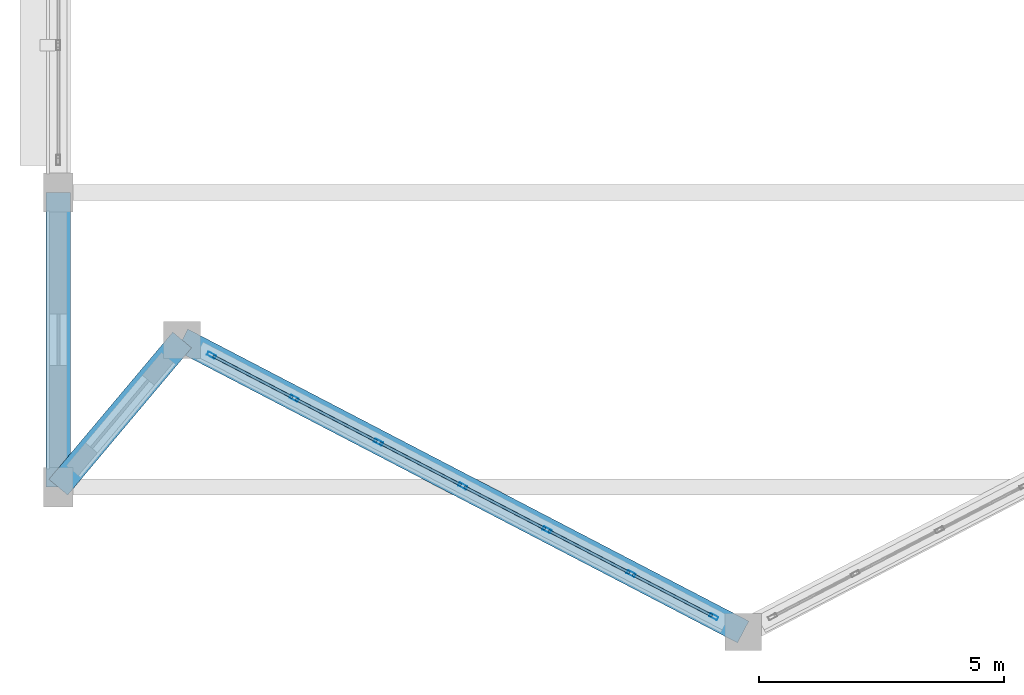
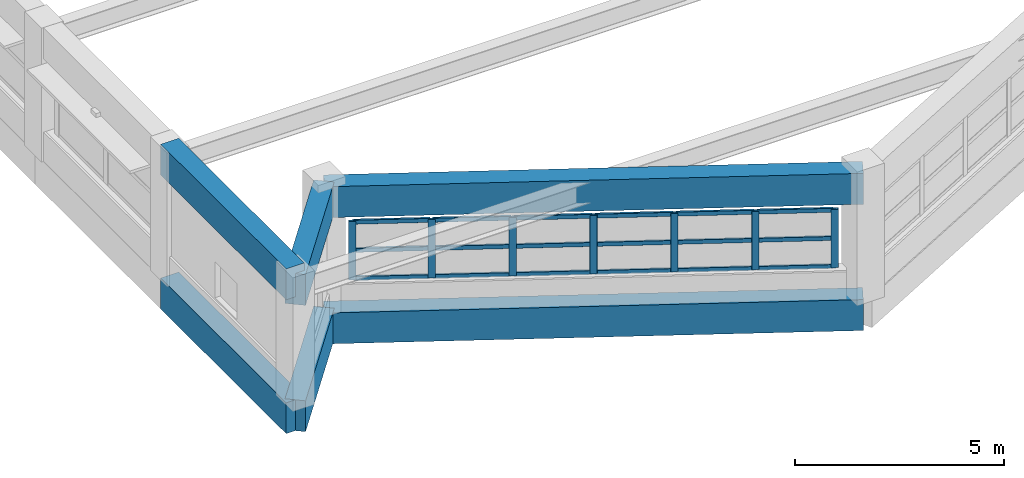
# One storey, part 3 of 108: 25 members, 6 beams, 1 element without a shape of its own.
"""IFC4 building model written with IfcOpenShell, lengths in metres."""

from ifc_helpers import new_model, si_unit, direction, frame, origin, origin_2d, place, context, subcontext, project, spatial, rectangle, hollow_rectangle, extrude, material, layer, layer_set, material_profile, profile_set, type_object, element, aggregate, save


model = new_model("IFC4")

# Units and contexts
model_context = context("Model", 3, precision=1e-05, world=origin(), true_north=direction((0.0, 1.0)))
body_context = subcontext(model_context, "Body", "Model", "MODEL_VIEW")
ifc_project = project(units=[si_unit("LENGTHUNIT", "METRE"), si_unit("AREAUNIT", "SQUARE_METRE"), si_unit("VOLUMEUNIT", "CUBIC_METRE"), si_unit("PLANEANGLEUNIT", "RADIAN"), si_unit("MASSUNIT", "GRAM", prefix="KILO")], contexts=[model_context])

# Site, building, storey
site_placement = place(None, origin())
site = spatial("IfcSite", under=ifc_project, at=site_placement, CompositionType="ELEMENT")
building_placement = place(site_placement, origin())
building = spatial("IfcBuilding", under=site, at=building_placement, Name="Vespera Passage Community Centre", CompositionType="ELEMENT")
storey_placement = place(building_placement, frame((0.0, 0.0, 12.60009765625)))
storey = spatial("IfcBuildingStorey", under=building, at=storey_placement, Name="L03", CompositionType="ELEMENT", Elevation=12.60009765625)

# Beams
ifc_material_1 = material(Name="Concrete f'c 45 MPa", Category="concrete")
ifc_material_profile_1 = material_profile(ifc_material_1, rectangle(XDim=0.5, YDim=0.89990234375, at=origin_2d()), Name="RC500X900")
ifc_profile_set_1 = profile_set([ifc_material_profile_1], Name="Concrete f'c 45 MPa")
beam_type = type_object("IfcBeamType", Name="BM-SP-500X900E", PredefinedType="SPANDREL", material=ifc_profile_set_1)
beam_1_placement = place(storey_placement, frame((4.050048828125, 7.0, 3.449951171875), z_axis=(0.0, 1.0, 0.0), x_axis=(-1.0, 0.0, 0.0)))
element("IfcBeam", 1, at=beam_1_placement, inside=storey, type_object=beam_type, Name="Main Hall Eave Ring Girder W1", PredefinedType="SPANDREL", context=body_context, shape_type="SweptSolid", body=[
    extrude(rectangle(XDim=0.5, YDim=0.89990234375, at=origin_2d()), origin(), (0.0, 0.0, 1.0), 6.0),
])
beam_2_placement = place(storey_placement, frame((4.050048828125, 7.0, 3.22998046875), z_axis=(0.643780739075, 0.765210010386, 0.0), x_axis=(-0.765210010386, 0.643780739075, 0.0)))
element("IfcBeam", 2, at=beam_2_placement, inside=storey, type_object=beam_type, Name="V1 S Apse Roof Edge Beam 1", PredefinedType="SPANDREL", context=body_context, shape_type="SweptSolid", body=[
    extrude(rectangle(XDim=0.5, YDim=0.89990234375, at=origin_2d()), origin(), (0.0, 0.0, 1.0), 3.91845703125),
])
beam_3_placement = place(storey_placement, frame((6.57275390625, 9.99853515625, 3.22998046875), z_axis=(0.887015966554, -0.461738751978, 0.0), x_axis=(0.461738751978, 0.887015966554, 0.0)))
element("IfcBeam", 3, at=beam_3_placement, inside=storey, type_object=beam_type, Name="V1 S Apse Roof Edge Beam 2", PredefinedType="SPANDREL", context=body_context, shape_type="SweptSolid", body=[
    extrude(rectangle(XDim=0.5, YDim=0.89990234375, at=origin_2d()), origin(), (0.0, 0.0, 1.0), 12.8828125),
])
beam_4_placement = place(storey_placement, frame((4.050048828125, 7.0, -0.4501953125), z_axis=(0.0, 1.0, 0.0), x_axis=(-1.0, 0.0, 0.0)))
element("IfcBeam", 4, at=beam_4_placement, inside=storey, type_object=beam_type, Name="V1 L03 Spandrel W1", PredefinedType="SPANDREL", context=body_context, shape_type="SweptSolid", body=[
    extrude(rectangle(XDim=0.5, YDim=0.89990234375, at=origin_2d()), origin(), (0.0, 0.0, 1.0), 6.0),
])
beam_5_placement = place(storey_placement, frame((4.050048828125, 7.0, -0.4501953125), z_axis=(0.643780739075, 0.765210010386, 0.0), x_axis=(-0.765210010386, 0.643780739075, 0.0)))
element("IfcBeam", 5, at=beam_5_placement, inside=storey, type_object=beam_type, Name="V1 L03 S Apse Spandrel 1", PredefinedType="SPANDREL", context=body_context, shape_type="SweptSolid", body=[
    extrude(rectangle(XDim=0.5, YDim=0.89990234375, at=origin_2d()), origin(), (0.0, 0.0, 1.0), 3.91845703125),
])
beam_6_placement = place(storey_placement, frame((6.57275390625, 9.99853515625, -0.4501953125), z_axis=(0.887015966554, -0.461738751978, 0.0), x_axis=(0.461738751978, 0.887015966554, 0.0)))
element("IfcBeam", 6, at=beam_6_placement, inside=storey, type_object=beam_type, Name="V1 L03 S Apse Spandrel 2", PredefinedType="SPANDREL", context=body_context, shape_type="SweptSolid", body=[
    extrude(rectangle(XDim=0.5, YDim=0.89990234375, at=origin_2d()), origin(), (0.0, 0.0, 1.0), 12.8828125),
])

# Curtain wall, members
ifc_material_2 = material(Name="Anodized aluminium 6063-T6", Category="aluminium")
ifc_layer = layer(ifc_material_2, 0.159912109375)
ifc_layer_set = layer_set([ifc_layer], Name="Anodized aluminium 6063-T6")
curtain_wall_type = type_object("IfcCurtainWallType", Name="CW-88E", PredefinedType="NOTDEFINED", material=ifc_layer_set)
curtain_wall_placement = place(storey_placement, origin())
curtain_wall = element("IfcCurtainWall", 7, at=curtain_wall_placement, inside=storey, type_object=curtain_wall_type, Name="V1 L03 S Apse Ribbon Curtain Wall 3", PredefinedType="NOTDEFINED")
ifc_material_3 = material(Name="Anodized aluminium 6063-T6", Category="aluminium")
ifc_material_profile_2 = material_profile(ifc_material_3, hollow_rectangle(XDim=0.074951171875, YDim=0.179931640625, WallThickness=0.0048828125, InnerFilletRadius=0.00244140625, OuterFilletRadius=0.0048828125, at=origin_2d()), Name="ALU180X75X5")
ifc_profile_set_2 = profile_set([ifc_material_profile_2], Name="Anodized aluminium 6063-T6")
member_type_1 = type_object("IfcMemberType", Name="MB-CWM-180E", PredefinedType="MULLION", material=ifc_profile_set_2)
member_1_placement = place(storey_placement, frame((17.401123046875, 4.36181640625, 0.7998046875), z_axis=(0.0, 0.0, 1.0), x_axis=(-0.46174493668, -0.887012747062, 0.0)))
member_1 = element("IfcMember", 8, at=member_1_placement, type_object=member_type_1, Name="CW-88E mullion 1", PredefinedType="MULLION", context=body_context, shape_type="SweptSolid", body=[
    extrude(hollow_rectangle(XDim=0.074951171875, YDim=0.179931640625, WallThickness=0.0048828125, InnerFilletRadius=0.00244140625, OuterFilletRadius=0.0048828125, at=origin_2d()), origin(), (0.0, 0.0, 1.0), 1.7001953125),
])
member_2_placement = place(storey_placement, frame((15.71826171875, 5.23779296875, 0.7998046875), z_axis=(0.0, 0.0, 1.0), x_axis=(-0.46174493668, -0.887012747062, 0.0)))
member_2 = element("IfcMember", 9, at=member_2_placement, type_object=member_type_1, Name="CW-88E mullion 2", PredefinedType="MULLION", context=body_context, shape_type="SweptSolid", body=[
    extrude(hollow_rectangle(XDim=0.074951171875, YDim=0.179931640625, WallThickness=0.0048828125, InnerFilletRadius=0.00244140625, OuterFilletRadius=0.0048828125, at=origin_2d()), origin(), (0.0, 0.0, 1.0), 1.7001953125),
])
member_3_placement = place(storey_placement, frame((14.00244140625, 6.131103515625, 0.7998046875), z_axis=(0.0, 0.0, 1.0), x_axis=(-0.46174493668, -0.887012747062, 0.0)))
member_3 = element("IfcMember", 10, at=member_3_placement, type_object=member_type_1, Name="CW-88E mullion 3", PredefinedType="MULLION", context=body_context, shape_type="SweptSolid", body=[
    extrude(hollow_rectangle(XDim=0.074951171875, YDim=0.179931640625, WallThickness=0.0048828125, InnerFilletRadius=0.00244140625, OuterFilletRadius=0.0048828125, at=origin_2d()), origin(), (0.0, 0.0, 1.0), 1.7001953125),
])
member_4_placement = place(storey_placement, frame((12.286376953125, 7.0244140625, 0.7998046875), z_axis=(0.0, 0.0, 1.0), x_axis=(-0.46174493668, -0.887012747062, 0.0)))
member_4 = element("IfcMember", 11, at=member_4_placement, type_object=member_type_1, Name="CW-88E mullion 4", PredefinedType="MULLION", context=body_context, shape_type="SweptSolid", body=[
    extrude(hollow_rectangle(XDim=0.074951171875, YDim=0.179931640625, WallThickness=0.0048828125, InnerFilletRadius=0.00244140625, OuterFilletRadius=0.0048828125, at=origin_2d()), origin(), (0.0, 0.0, 1.0), 1.7001953125),
])
member_5_placement = place(storey_placement, frame((10.5703125, 7.91748046875, 0.7998046875), z_axis=(0.0, 0.0, 1.0), x_axis=(-0.46174493668, -0.887012747062, 0.0)))
member_5 = element("IfcMember", 12, at=member_5_placement, type_object=member_type_1, Name="CW-88E mullion 5", PredefinedType="MULLION", context=body_context, shape_type="SweptSolid", body=[
    extrude(hollow_rectangle(XDim=0.074951171875, YDim=0.179931640625, WallThickness=0.0048828125, InnerFilletRadius=0.00244140625, OuterFilletRadius=0.0048828125, at=origin_2d()), origin(), (0.0, 0.0, 1.0), 1.7001953125),
])
member_6_placement = place(storey_placement, frame((8.8544921875, 8.810791015625, 0.7998046875), z_axis=(0.0, 0.0, 1.0), x_axis=(-0.46174493668, -0.887012747062, 0.0)))
member_6 = element("IfcMember", 13, at=member_6_placement, type_object=member_type_1, Name="CW-88E mullion 6", PredefinedType="MULLION", context=body_context, shape_type="SweptSolid", body=[
    extrude(hollow_rectangle(XDim=0.074951171875, YDim=0.179931640625, WallThickness=0.0048828125, InnerFilletRadius=0.00244140625, OuterFilletRadius=0.0048828125, at=origin_2d()), origin(), (0.0, 0.0, 1.0), 1.7001953125),
])
member_7_placement = place(storey_placement, frame((7.171875, 9.686767578125, 0.7998046875), z_axis=(0.0, 0.0, 1.0), x_axis=(-0.46174493668, -0.887012747062, 0.0)))
member_7 = element("IfcMember", 14, at=member_7_placement, type_object=member_type_1, Name="CW-88E mullion 7", PredefinedType="MULLION", context=body_context, shape_type="SweptSolid", body=[
    extrude(hollow_rectangle(XDim=0.074951171875, YDim=0.179931640625, WallThickness=0.0048828125, InnerFilletRadius=0.00244140625, OuterFilletRadius=0.0048828125, at=origin_2d()), origin(), (0.0, 0.0, 1.0), 1.7001953125),
])
ifc_material_4 = material(Name="Anodized aluminium 6063-T6", Category="aluminium")
ifc_material_profile_3 = material_profile(ifc_material_4, hollow_rectangle(XDim=0.06005859375, YDim=0.1201171875, WallThickness=0.00390625, InnerFilletRadius=0.001953125, OuterFilletRadius=0.00390625, at=origin_2d()), Name="ALU120X60X4")
ifc_profile_set_3 = profile_set([ifc_material_profile_3], Name="Anodized aluminium 6063-T6")
member_type_2 = type_object("IfcMemberType", Name="MB-CWT-120E", PredefinedType="USERDEFINED", material=ifc_profile_set_3)
member_8_placement = place(storey_placement, frame((17.36767578125, 4.379150390625, 0.829833984375), z_axis=(-0.886990706074, 0.461787274986, 0.0), x_axis=(-0.461787274986, -0.886990706074, 0.0)))
member_8 = element("IfcMember", 15, at=member_8_placement, type_object=member_type_2, Name="CW-88E transom 1.1", ObjectType="TRANSOM", PredefinedType="USERDEFINED", context=body_context, shape_type="SweptSolid", body=[
    extrude(hollow_rectangle(XDim=0.06005859375, YDim=0.1201171875, WallThickness=0.00390625, InnerFilletRadius=0.001953125, OuterFilletRadius=0.00390625, at=origin_2d()), origin(), (0.0, 0.0, 1.0), 1.82177734375),
])
member_9_placement = place(storey_placement, frame((17.36767578125, 4.379150390625, 1.64990234375), z_axis=(-0.886990706074, 0.461787274986, 0.0), x_axis=(-0.461787274986, -0.886990706074, 0.0)))
member_9 = element("IfcMember", 16, at=member_9_placement, type_object=member_type_2, Name="CW-88E transom 1.2", ObjectType="TRANSOM", PredefinedType="USERDEFINED", context=body_context, shape_type="SweptSolid", body=[
    extrude(hollow_rectangle(XDim=0.06005859375, YDim=0.1201171875, WallThickness=0.00390625, InnerFilletRadius=0.001953125, OuterFilletRadius=0.00390625, at=origin_2d()), origin(), (0.0, 0.0, 1.0), 1.82177734375),
])
member_10_placement = place(storey_placement, frame((17.36767578125, 4.379150390625, 2.469970703125), z_axis=(-0.886990706074, 0.461787274986, 0.0), x_axis=(-0.461787274986, -0.886990706074, 0.0)))
member_10 = element("IfcMember", 17, at=member_10_placement, type_object=member_type_2, Name="CW-88E transom 1.3", ObjectType="TRANSOM", PredefinedType="USERDEFINED", context=body_context, shape_type="SweptSolid", body=[
    extrude(hollow_rectangle(XDim=0.06005859375, YDim=0.1201171875, WallThickness=0.00390625, InnerFilletRadius=0.001953125, OuterFilletRadius=0.00390625, at=origin_2d()), origin(), (0.0, 0.0, 1.0), 1.82177734375),
])
member_11_placement = place(storey_placement, frame((15.68505859375, 5.255126953125, 0.829833984375), z_axis=(-0.887008197889, 0.461753675544, 0.0), x_axis=(-0.461753675544, -0.887008197889, 0.0)))
member_11 = element("IfcMember", 18, at=member_11_placement, type_object=member_type_2, Name="CW-88E transom 2.1", ObjectType="TRANSOM", PredefinedType="USERDEFINED", context=body_context, shape_type="SweptSolid", body=[
    extrude(hollow_rectangle(XDim=0.06005859375, YDim=0.1201171875, WallThickness=0.00390625, InnerFilletRadius=0.001953125, OuterFilletRadius=0.00390625, at=origin_2d()), origin(), (0.0, 0.0, 1.0), 1.859619140625),
])
member_12_placement = place(storey_placement, frame((15.68505859375, 5.255126953125, 1.64990234375), z_axis=(-0.887008197889, 0.461753675544, 0.0), x_axis=(-0.461753675544, -0.887008197889, 0.0)))
member_12 = element("IfcMember", 19, at=member_12_placement, type_object=member_type_2, Name="CW-88E transom 2.2", ObjectType="TRANSOM", PredefinedType="USERDEFINED", context=body_context, shape_type="SweptSolid", body=[
    extrude(hollow_rectangle(XDim=0.06005859375, YDim=0.1201171875, WallThickness=0.00390625, InnerFilletRadius=0.001953125, OuterFilletRadius=0.00390625, at=origin_2d()), origin(), (0.0, 0.0, 1.0), 1.859619140625),
])
member_13_placement = place(storey_placement, frame((15.68505859375, 5.255126953125, 2.469970703125), z_axis=(-0.887008197889, 0.461753675544, 0.0), x_axis=(-0.461753675544, -0.887008197889, 0.0)))
member_13 = element("IfcMember", 20, at=member_13_placement, type_object=member_type_2, Name="CW-88E transom 2.3", ObjectType="TRANSOM", PredefinedType="USERDEFINED", context=body_context, shape_type="SweptSolid", body=[
    extrude(hollow_rectangle(XDim=0.06005859375, YDim=0.1201171875, WallThickness=0.00390625, InnerFilletRadius=0.001953125, OuterFilletRadius=0.00390625, at=origin_2d()), origin(), (0.0, 0.0, 1.0), 1.859619140625),
])
member_14_placement = place(storey_placement, frame((13.968994140625, 6.1484375, 0.829833984375), z_axis=(-0.887008197889, 0.461753675544, 0.0), x_axis=(-0.461753675544, -0.887008197889, 0.0)))
member_14 = element("IfcMember", 21, at=member_14_placement, type_object=member_type_2, Name="CW-88E transom 3.1", ObjectType="TRANSOM", PredefinedType="USERDEFINED", context=body_context, shape_type="SweptSolid", body=[
    extrude(hollow_rectangle(XDim=0.06005859375, YDim=0.1201171875, WallThickness=0.00390625, InnerFilletRadius=0.001953125, OuterFilletRadius=0.00390625, at=origin_2d()), origin(), (0.0, 0.0, 1.0), 1.859619140625),
])
member_15_placement = place(storey_placement, frame((13.968994140625, 6.1484375, 1.64990234375), z_axis=(-0.887008197889, 0.461753675544, 0.0), x_axis=(-0.461753675544, -0.887008197889, 0.0)))
member_15 = element("IfcMember", 22, at=member_15_placement, type_object=member_type_2, Name="CW-88E transom 3.2", ObjectType="TRANSOM", PredefinedType="USERDEFINED", context=body_context, shape_type="SweptSolid", body=[
    extrude(hollow_rectangle(XDim=0.06005859375, YDim=0.1201171875, WallThickness=0.00390625, InnerFilletRadius=0.001953125, OuterFilletRadius=0.00390625, at=origin_2d()), origin(), (0.0, 0.0, 1.0), 1.859619140625),
])
member_16_placement = place(storey_placement, frame((13.968994140625, 6.1484375, 2.469970703125), z_axis=(-0.887008197889, 0.461753675544, 0.0), x_axis=(-0.461753675544, -0.887008197889, 0.0)))
member_16 = element("IfcMember", 23, at=member_16_placement, type_object=member_type_2, Name="CW-88E transom 3.3", ObjectType="TRANSOM", PredefinedType="USERDEFINED", context=body_context, shape_type="SweptSolid", body=[
    extrude(hollow_rectangle(XDim=0.06005859375, YDim=0.1201171875, WallThickness=0.00390625, InnerFilletRadius=0.001953125, OuterFilletRadius=0.00390625, at=origin_2d()), origin(), (0.0, 0.0, 1.0), 1.859619140625),
])
member_17_placement = place(storey_placement, frame((12.253173828125, 7.04150390625, 0.829833984375), z_axis=(-0.887008197889, 0.461753675544, 0.0), x_axis=(-0.461753675544, -0.887008197889, 0.0)))
member_17 = element("IfcMember", 24, at=member_17_placement, type_object=member_type_2, Name="CW-88E transom 4.1", ObjectType="TRANSOM", PredefinedType="USERDEFINED", context=body_context, shape_type="SweptSolid", body=[
    extrude(hollow_rectangle(XDim=0.06005859375, YDim=0.1201171875, WallThickness=0.00390625, InnerFilletRadius=0.001953125, OuterFilletRadius=0.00390625, at=origin_2d()), origin(), (0.0, 0.0, 1.0), 1.859619140625),
])
member_18_placement = place(storey_placement, frame((12.253173828125, 7.04150390625, 1.64990234375), z_axis=(-0.887008197889, 0.461753675544, 0.0), x_axis=(-0.461753675544, -0.887008197889, 0.0)))
member_18 = element("IfcMember", 25, at=member_18_placement, type_object=member_type_2, Name="CW-88E transom 4.2", ObjectType="TRANSOM", PredefinedType="USERDEFINED", context=body_context, shape_type="SweptSolid", body=[
    extrude(hollow_rectangle(XDim=0.06005859375, YDim=0.1201171875, WallThickness=0.00390625, InnerFilletRadius=0.001953125, OuterFilletRadius=0.00390625, at=origin_2d()), origin(), (0.0, 0.0, 1.0), 1.859619140625),
])
member_19_placement = place(storey_placement, frame((12.253173828125, 7.04150390625, 2.469970703125), z_axis=(-0.887008197889, 0.461753675544, 0.0), x_axis=(-0.461753675544, -0.887008197889, 0.0)))
member_19 = element("IfcMember", 26, at=member_19_placement, type_object=member_type_2, Name="CW-88E transom 4.3", ObjectType="TRANSOM", PredefinedType="USERDEFINED", context=body_context, shape_type="SweptSolid", body=[
    extrude(hollow_rectangle(XDim=0.06005859375, YDim=0.1201171875, WallThickness=0.00390625, InnerFilletRadius=0.001953125, OuterFilletRadius=0.00390625, at=origin_2d()), origin(), (0.0, 0.0, 1.0), 1.859619140625),
])
member_20_placement = place(storey_placement, frame((10.537109375, 7.934814453125, 0.829833984375), z_axis=(-0.887008197889, 0.461753675544, 0.0), x_axis=(-0.461753675544, -0.887008197889, 0.0)))
member_20 = element("IfcMember", 27, at=member_20_placement, type_object=member_type_2, Name="CW-88E transom 5.1", ObjectType="TRANSOM", PredefinedType="USERDEFINED", context=body_context, shape_type="SweptSolid", body=[
    extrude(hollow_rectangle(XDim=0.06005859375, YDim=0.1201171875, WallThickness=0.00390625, InnerFilletRadius=0.001953125, OuterFilletRadius=0.00390625, at=origin_2d()), origin(), (0.0, 0.0, 1.0), 1.859619140625),
])
member_21_placement = place(storey_placement, frame((10.537109375, 7.934814453125, 1.64990234375), z_axis=(-0.887008197889, 0.461753675544, 0.0), x_axis=(-0.461753675544, -0.887008197889, 0.0)))
member_21 = element("IfcMember", 28, at=member_21_placement, type_object=member_type_2, Name="CW-88E transom 5.2", ObjectType="TRANSOM", PredefinedType="USERDEFINED", context=body_context, shape_type="SweptSolid", body=[
    extrude(hollow_rectangle(XDim=0.06005859375, YDim=0.1201171875, WallThickness=0.00390625, InnerFilletRadius=0.001953125, OuterFilletRadius=0.00390625, at=origin_2d()), origin(), (0.0, 0.0, 1.0), 1.859619140625),
])
member_22_placement = place(storey_placement, frame((10.537109375, 7.934814453125, 2.469970703125), z_axis=(-0.887008197889, 0.461753675544, 0.0), x_axis=(-0.461753675544, -0.887008197889, 0.0)))
member_22 = element("IfcMember", 29, at=member_22_placement, type_object=member_type_2, Name="CW-88E transom 5.3", ObjectType="TRANSOM", PredefinedType="USERDEFINED", context=body_context, shape_type="SweptSolid", body=[
    extrude(hollow_rectangle(XDim=0.06005859375, YDim=0.1201171875, WallThickness=0.00390625, InnerFilletRadius=0.001953125, OuterFilletRadius=0.00390625, at=origin_2d()), origin(), (0.0, 0.0, 1.0), 1.859619140625),
])
member_23_placement = place(storey_placement, frame((8.8212890625, 8.828125, 0.829833984375), z_axis=(-0.887019277583, 0.461732391322, 0.0), x_axis=(-0.461732391322, -0.887019277583, 0.0)))
member_23 = element("IfcMember", 30, at=member_23_placement, type_object=member_type_2, Name="CW-88E transom 6.1", ObjectType="TRANSOM", PredefinedType="USERDEFINED", context=body_context, shape_type="SweptSolid", body=[
    extrude(hollow_rectangle(XDim=0.06005859375, YDim=0.1201171875, WallThickness=0.00390625, InnerFilletRadius=0.001953125, OuterFilletRadius=0.00390625, at=origin_2d()), origin(), (0.0, 0.0, 1.0), 1.822021484375),
])
member_24_placement = place(storey_placement, frame((8.8212890625, 8.828125, 1.64990234375), z_axis=(-0.887019277583, 0.461732391322, 0.0), x_axis=(-0.461732391322, -0.887019277583, 0.0)))
member_24 = element("IfcMember", 31, at=member_24_placement, type_object=member_type_2, Name="CW-88E transom 6.2", ObjectType="TRANSOM", PredefinedType="USERDEFINED", context=body_context, shape_type="SweptSolid", body=[
    extrude(hollow_rectangle(XDim=0.06005859375, YDim=0.1201171875, WallThickness=0.00390625, InnerFilletRadius=0.001953125, OuterFilletRadius=0.00390625, at=origin_2d()), origin(), (0.0, 0.0, 1.0), 1.822021484375),
])
member_25_placement = place(storey_placement, frame((8.8212890625, 8.828125, 2.469970703125), z_axis=(-0.887019277583, 0.461732391322, 0.0), x_axis=(-0.461732391322, -0.887019277583, 0.0)))
member_25 = element("IfcMember", 32, at=member_25_placement, type_object=member_type_2, Name="CW-88E transom 6.3", ObjectType="TRANSOM", PredefinedType="USERDEFINED", context=body_context, shape_type="SweptSolid", body=[
    extrude(hollow_rectangle(XDim=0.06005859375, YDim=0.1201171875, WallThickness=0.00390625, InnerFilletRadius=0.001953125, OuterFilletRadius=0.00390625, at=origin_2d()), origin(), (0.0, 0.0, 1.0), 1.822021484375),
])
aggregate(curtain_wall, [member_1, member_2, member_3, member_4, member_5, member_6, member_7, member_8, member_9, member_10, member_11, member_12, member_13, member_14, member_15, member_16, member_17, member_18, member_19, member_20, member_21, member_22, member_23, member_24, member_25])

save(model, "model.ifc")
